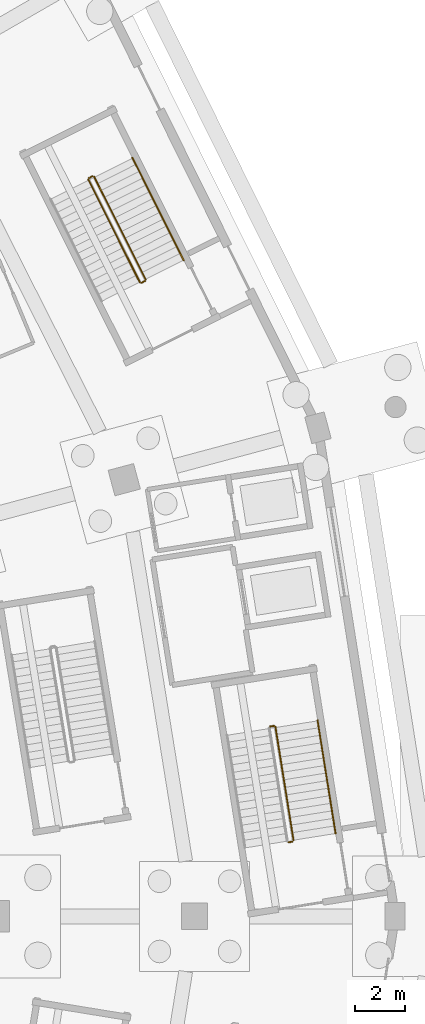
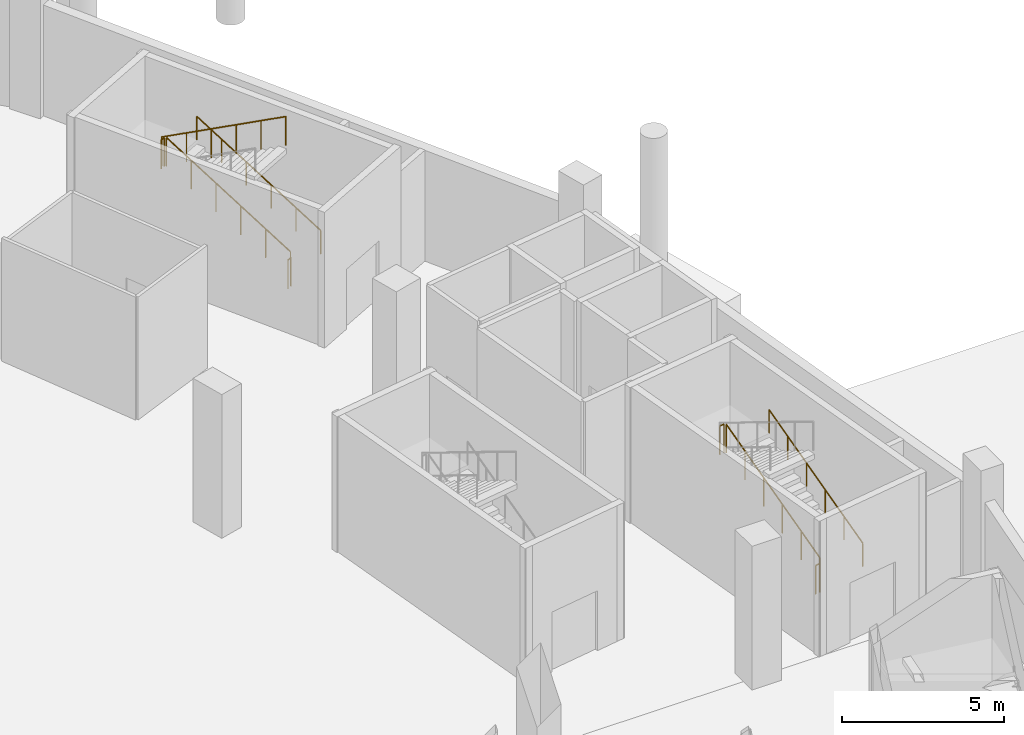
# One storey, part 82 of 103: 9 railings.
"""IFC4 building model written with IfcOpenShell, lengths in metres."""

from ifc_helpers import new_model, si_unit, direction, frame, origin, origin_2d, place, context, subcontext, project, spatial, circle, extrude, material, type_object, element, save


model = new_model("IFC4")

# Units and contexts
model_context = context("Model", 3, precision=1e-05, world=origin(), true_north=direction((0.0, 1.0)))
body_context = subcontext(model_context, "Body", "Model", "MODEL_VIEW")
ifc_project = project(units=[si_unit("LENGTHUNIT", "METRE"), si_unit("AREAUNIT", "SQUARE_METRE"), si_unit("VOLUMEUNIT", "CUBIC_METRE"), si_unit("PLANEANGLEUNIT", "RADIAN"), si_unit("MASSUNIT", "GRAM", prefix="KILO")], contexts=[model_context])

# Site, building, storey
site_placement = place(None, origin())
site = spatial("IfcSite", under=ifc_project, at=site_placement, CompositionType="ELEMENT")
building_placement = place(site_placement, origin())
building = spatial("IfcBuilding", under=site, at=building_placement, Name="Zevraka Park Crest Stadium", CompositionType="ELEMENT")
storey_placement = place(building_placement, origin())
storey = spatial("IfcBuildingStorey", under=building, at=storey_placement, Name="L00", CompositionType="ELEMENT", Elevation=0.0)

# Railings
ifc_material_1 = material(Name="Powder-coated tubular steel stairwell guard", Category="steel")
railing_type_1 = type_object("IfcRailingType", Name="GR03", PredefinedType="GUARDRAIL", material=ifc_material_1)
railing_1_placement = place(storey_placement, frame((198.24658203125, 95.039794921875, 0.168701171875)))
element("IfcRailing", 1, at=railing_1_placement, inside=storey, type_object=railing_type_1, Name="L00 ST01 stair guard 1", PredefinedType="GUARDRAIL", context=body_context, shape_type="SweptSolid", body=[
    extrude(circle(Radius=0.02392578125, at=origin_2d()), frame((0.0, 0.0, 1.076171875), z_axis=(-0.137606314293, 0.864113489075, 0.484120212619), x_axis=(-0.987556583672, -0.157264090137, 0.0)), (0.0, 0.0, 1.0), 5.228515625),
    extrude(circle(Radius=0.02099609375, at=origin_2d()), origin(), (0.0, 0.0, 1.0), 1.052001953125),
    extrude(circle(Radius=0.02099609375, at=origin_2d()), frame((-0.143798828125, 0.903564453125, 0.50634765625)), (0.0, 0.0, 1.0), 1.052001953125),
    extrude(circle(Radius=0.02099609375, at=origin_2d()), frame((-0.287841796875, 1.80712890625, 1.012451171875)), (0.0, 0.0, 1.0), 1.052001953125),
    extrude(circle(Radius=0.02099609375, at=origin_2d()), frame((-0.431640625, 2.7109375, 1.518798828125)), (0.0, 0.0, 1.0), 1.052001953125),
    extrude(circle(Radius=0.02099609375, at=origin_2d()), frame((-0.57568359375, 3.614501953125, 2.02490234375)), (0.0, 0.0, 1.0), 1.052001953125),
    extrude(circle(Radius=0.02099609375, at=origin_2d()), frame((-0.719482421875, 4.51806640625, 2.53125)), (0.0, 0.0, 1.0), 1.052001953125),
])
for number, where, name in (
    (2, (197.469970703125, 99.599365234375, 2.699951171875), "L00 ST01 stair guard 2"),
    (3, (198.205078125, 94.982421875, 0.0), "L00 ST01 stair guard 4"),
):
    element("IfcRailing", number, at=place(storey_placement, frame(where)), inside=storey, type_object=railing_type_1, Name=name, PredefinedType="GUARDRAIL", context=body_context, shape_type="SweptSolid", body=[
        extrude(circle(Radius=0.02392578125, at=origin_2d()), frame((0.0, 0.0, 1.076171875), z_axis=(-0.987564153079, -0.157216549872, 0.0), x_axis=(0.157216549872, -0.987564153079, 0.0)), (0.0, 0.0, 1.0), 0.159912109375),
        extrude(circle(Radius=0.02099609375, at=origin_2d()), origin(), (0.0, 0.0, 1.0), 1.052001953125),
        extrude(circle(Radius=0.02099609375, at=origin_2d()), frame((-0.157958984375, -0.025146484375, 0.0)), (0.0, 0.0, 1.0), 1.052001953125),
    ])
railing_2_placement = place(storey_placement, frame((192.3466796875, 117.413330078125, 0.168701171875)))
element("IfcRailing", 4, at=railing_2_placement, inside=storey, type_object=railing_type_1, Name="L00 ST02 stair guard 1", PredefinedType="GUARDRAIL", context=body_context, shape_type="SweptSolid", body=[
    extrude(circle(Radius=0.02392578125, at=origin_2d()), frame((0.0, 0.0, 1.076171875), z_axis=(-0.391947328971, 0.782307070478, 0.484120789466), x_axis=(-0.894064019909, -0.447939201571, 0.0)), (0.0, 0.0, 1.0), 5.228515625),
    extrude(circle(Radius=0.02099609375, at=origin_2d()), origin(), (0.0, 0.0, 1.0), 1.052001953125),
    extrude(circle(Radius=0.02099609375, at=origin_2d()), frame((-0.409912109375, 0.818115234375, 0.50634765625)), (0.0, 0.0, 1.0), 1.052001953125),
    extrude(circle(Radius=0.02099609375, at=origin_2d()), frame((-0.81982421875, 1.63623046875, 1.012451171875)), (0.0, 0.0, 1.0), 1.052001953125),
    extrude(circle(Radius=0.02099609375, at=origin_2d()), frame((-1.2294921875, 2.4541015625, 1.518798828125)), (0.0, 0.0, 1.0), 1.052001953125),
    extrude(circle(Radius=0.02099609375, at=origin_2d()), frame((-1.639404296875, 3.272216796875, 2.02490234375)), (0.0, 0.0, 1.0), 1.052001953125),
    extrude(circle(Radius=0.02099609375, at=origin_2d()), frame((-2.04931640625, 4.09033203125, 2.53125)), (0.0, 0.0, 1.0), 1.052001953125),
])
railing_3_placement = place(storey_placement, frame((190.230224609375, 121.526123046875, 2.699951171875)))
element("IfcRailing", 5, at=railing_3_placement, inside=storey, type_object=railing_type_1, Name="L00 ST02 stair guard 2", PredefinedType="GUARDRAIL", context=body_context, shape_type="SweptSolid", body=[
    extrude(circle(Radius=0.02392578125, at=origin_2d()), frame((0.0, 0.0, 1.076171875), z_axis=(-0.893816245171, -0.44843340628, 0.0), x_axis=(0.44843340628, -0.893816245171, 0.0)), (0.0, 0.0, 1.0), 0.16015625),
    extrude(circle(Radius=0.02099609375, at=origin_2d()), origin(), (0.0, 0.0, 1.0), 1.052001953125),
    extrude(circle(Radius=0.02099609375, at=origin_2d()), frame((-0.14306640625, -0.07177734375, 0.0)), (0.0, 0.0, 1.0), 1.052001953125),
])
railing_4_placement = place(storey_placement, frame((190.06494140625, 121.38720703125, 2.86865234375)))
element("IfcRailing", 6, at=railing_4_placement, inside=storey, type_object=railing_type_1, Name="L00 ST02 stair guard 3", PredefinedType="GUARDRAIL", context=body_context, shape_type="SweptSolid", body=[
    extrude(circle(Radius=0.02392578125, at=origin_2d()), frame((0.0, 0.0, 1.076171875), z_axis=(0.391907807358, -0.782321387403, 0.484129649313), x_axis=(0.89408539104, 0.447896543333, 0.0)), (0.0, 0.0, 1.0), 5.228515625),
    extrude(circle(Radius=0.02099609375, at=origin_2d()), origin(), (0.0, 0.0, 1.0), 1.052001953125),
    extrude(circle(Radius=0.02099609375, at=origin_2d()), frame((0.409912109375, -0.818115234375, 0.50634765625)), (0.0, 0.0, 1.0), 1.052001953125),
    extrude(circle(Radius=0.02099609375, at=origin_2d()), frame((0.819580078125, -1.63623046875, 1.012451171875)), (0.0, 0.0, 1.0), 1.052001953125),
    extrude(circle(Radius=0.02099609375, at=origin_2d()), frame((1.2294921875, -2.4541015625, 1.518798828125)), (0.0, 0.0, 1.0), 1.052001953125),
    extrude(circle(Radius=0.02099609375, at=origin_2d()), frame((1.63916015625, -3.272216796875, 2.02490234375)), (0.0, 0.0, 1.0), 1.052001953125),
    extrude(circle(Radius=0.02099609375, at=origin_2d()), frame((2.049072265625, -4.09033203125, 2.53125)), (0.0, 0.0, 1.0), 1.052001953125),
])
railing_5_placement = place(storey_placement, frame((192.32421875, 117.34619140625, 0.0)))
element("IfcRailing", 7, at=railing_5_placement, inside=storey, type_object=railing_type_1, Name="L00 ST02 stair guard 4", PredefinedType="GUARDRAIL", context=body_context, shape_type="SweptSolid", body=[
    extrude(circle(Radius=0.02392578125, at=origin_2d()), frame((0.0, 0.0, 1.076171875), z_axis=(-0.894427191, -0.4472135955, 0.0), x_axis=(0.4472135955, -0.894427191, 0.0)), (0.0, 0.0, 1.0), 0.159912109375),
    extrude(circle(Radius=0.02099609375, at=origin_2d()), origin(), (0.0, 0.0, 1.0), 1.052001953125),
    extrude(circle(Radius=0.02099609375, at=origin_2d()), frame((-0.14306640625, -0.071533203125, 0.0)), (0.0, 0.0, 1.0), 1.052001953125),
])
ifc_material_2 = material(Name="Brushed stainless steel continuous handrail", Category="steel")
railing_type_2 = type_object("IfcRailingType", Name="HR01", PredefinedType="HANDRAIL", material=ifc_material_2)
railing_6_placement = place(storey_placement, frame((199.925537109375, 95.30712890625, 0.168701171875)))
element("IfcRailing", 8, at=railing_6_placement, inside=storey, type_object=railing_type_2, Name="L00 ST01 stair handrail 1", PredefinedType="HANDRAIL", context=body_context, shape_type="SweptSolid", body=[
    extrude(circle(Radius=0.02392578125, at=origin_2d()), frame((0.0, 0.0, 0.8759765625), z_axis=(-0.137606314293, 0.864113489075, 0.484120212619), x_axis=(-0.987556583672, -0.157264090137, 0.0)), (0.0, 0.0, 1.0), 5.228515625),
    extrude(circle(Radius=0.02099609375, at=origin_2d()), origin(), (0.0, 0.0, 1.0), 0.851806640625),
    extrude(circle(Radius=0.02099609375, at=origin_2d()), frame((-0.143798828125, 0.903564453125, 0.50634765625)), (0.0, 0.0, 1.0), 0.851806640625),
    extrude(circle(Radius=0.02099609375, at=origin_2d()), frame((-0.287841796875, 1.80712890625, 1.012451171875)), (0.0, 0.0, 1.0), 0.851806640625),
    extrude(circle(Radius=0.02099609375, at=origin_2d()), frame((-0.431640625, 2.7109375, 1.518798828125)), (0.0, 0.0, 1.0), 0.851806640625),
    extrude(circle(Radius=0.02099609375, at=origin_2d()), frame((-0.57568359375, 3.614501953125, 2.02490234375)), (0.0, 0.0, 1.0), 0.851806640625),
    extrude(circle(Radius=0.02099609375, at=origin_2d()), frame((-0.719482421875, 4.51806640625, 2.53125)), (0.0, 0.0, 1.0), 0.851806640625),
])
railing_7_placement = place(storey_placement, frame((193.866455078125, 118.1748046875, 0.168701171875)))
element("IfcRailing", 9, at=railing_7_placement, inside=storey, type_object=railing_type_2, Name="L00 ST02 stair handrail 1", PredefinedType="HANDRAIL", context=body_context, shape_type="SweptSolid", body=[
    extrude(circle(Radius=0.02392578125, at=origin_2d()), frame((0.0, 0.0, 0.8759765625), z_axis=(-0.391907807358, 0.782321387403, 0.484129649313), x_axis=(-0.89408539104, -0.447896543333, 0.0)), (0.0, 0.0, 1.0), 5.228515625),
    extrude(circle(Radius=0.02099609375, at=origin_2d()), origin(), (0.0, 0.0, 1.0), 0.851806640625),
    extrude(circle(Radius=0.02099609375, at=origin_2d()), frame((-0.409912109375, 0.818115234375, 0.50634765625)), (0.0, 0.0, 1.0), 0.851806640625),
    extrude(circle(Radius=0.02099609375, at=origin_2d()), frame((-0.819580078125, 1.63623046875, 1.012451171875)), (0.0, 0.0, 1.0), 0.851806640625),
    extrude(circle(Radius=0.02099609375, at=origin_2d()), frame((-1.2294921875, 2.4541015625, 1.518798828125)), (0.0, 0.0, 1.0), 0.851806640625),
    extrude(circle(Radius=0.02099609375, at=origin_2d()), frame((-1.63916015625, 3.272216796875, 2.02490234375)), (0.0, 0.0, 1.0), 0.851806640625),
    extrude(circle(Radius=0.02099609375, at=origin_2d()), frame((-2.049072265625, 4.09033203125, 2.53125)), (0.0, 0.0, 1.0), 0.851806640625),
])

save(model, "model.ifc")
